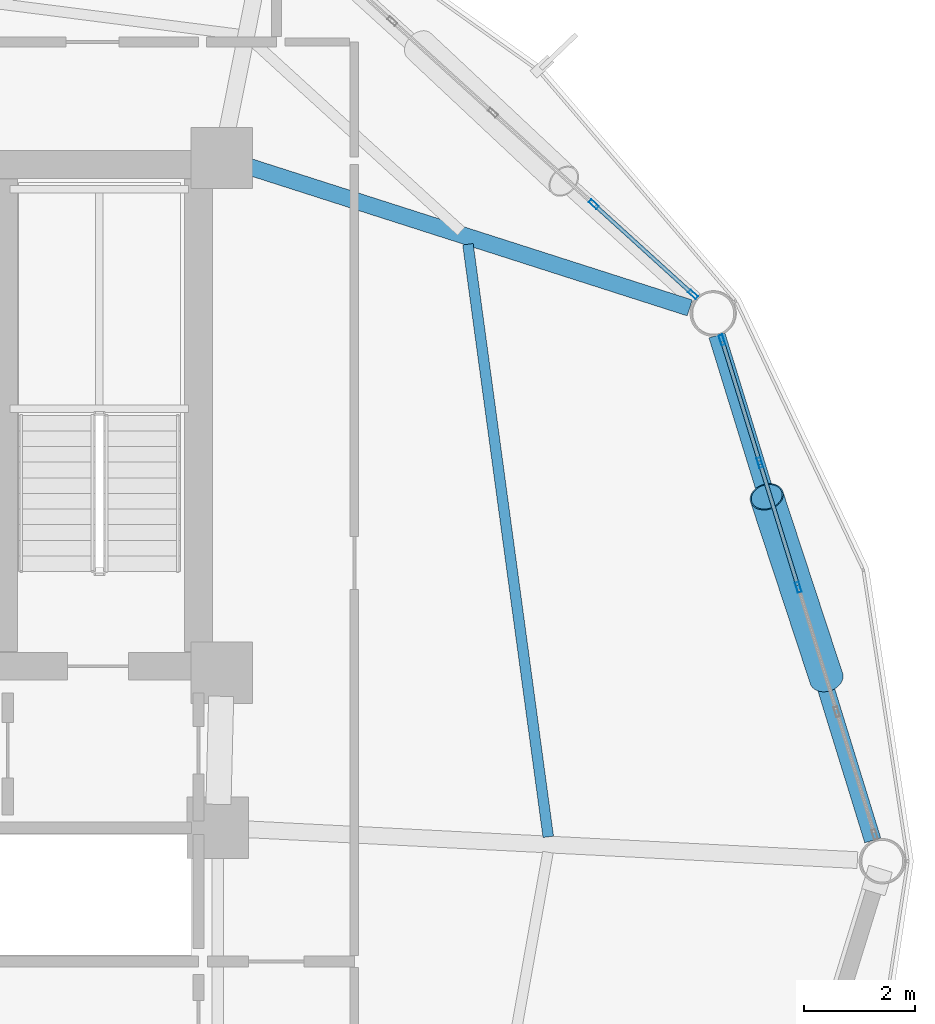
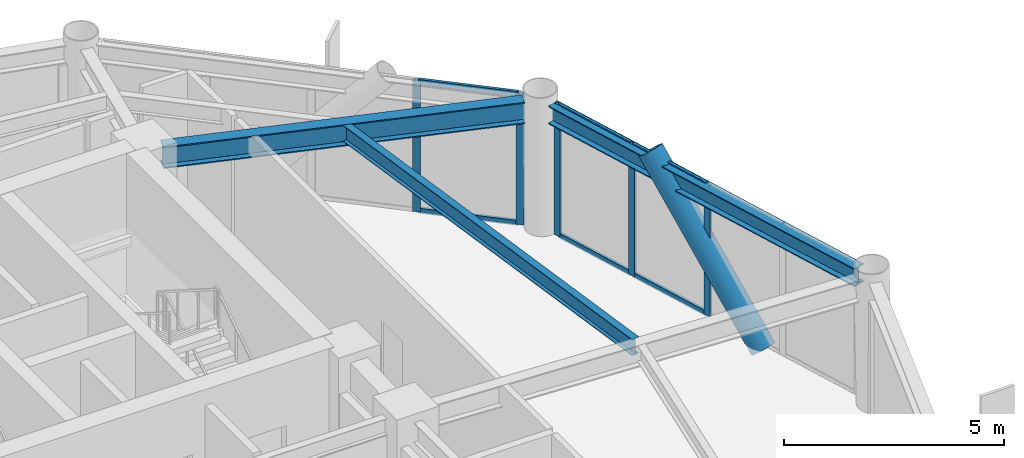
# One storey, part 14 of 25: 12 members, 3 beams, 2 elements without a shape of their own.
"""IFC4 building model written with IfcOpenShell, lengths in metres."""

from ifc_helpers import new_model, si_unit, direction, frame, origin, origin_2d, place, context, subcontext, project, spatial, hollow_rectangle, hollow_circle, i_section, extrude, material, layer, layer_set, material_profile, profile_set, type_object, element, aggregate, save


model = new_model("IFC4")

# Units and contexts
model_context = context("Model", 3, precision=1e-05, world=origin(), true_north=direction((0.0, 1.0)))
body_context = subcontext(model_context, "Body", "Model", "MODEL_VIEW")
ifc_project = project(units=[si_unit("LENGTHUNIT", "METRE"), si_unit("AREAUNIT", "SQUARE_METRE"), si_unit("VOLUMEUNIT", "CUBIC_METRE"), si_unit("PLANEANGLEUNIT", "RADIAN"), si_unit("MASSUNIT", "GRAM", prefix="KILO")], contexts=[model_context])

# Site, building, storey
site_placement = place(None, origin())
site = spatial("IfcSite", under=ifc_project, at=site_placement, CompositionType="ELEMENT")
building_placement = place(site_placement, origin())
building = spatial("IfcBuilding", under=site, at=building_placement, Name="Varnakorn Sky Granary", CompositionType="ELEMENT")
storey_placement = place(building_placement, frame((0.0, 0.0, 91.5)))
storey = spatial("IfcBuildingStorey", under=building, at=storey_placement, Name="L22", CompositionType="ELEMENT", Elevation=91.5)

# Beams
ifc_material_1 = material(Name="Steel S355JR", Category="steel")
ifc_material_profile_1 = material_profile(ifc_material_1, i_section(OverallWidth=0.300048828125, OverallDepth=0.60009765625, WebThickness=0.015380859375, FlangeThickness=0.030029296875, at=origin_2d()), Name="HE 600 B")
ifc_profile_set_1 = profile_set([ifc_material_profile_1], Name="Steel S355JR")
beam_type_1 = type_object("IfcBeamType", Name="BM-RAD-Z2", PredefinedType="BEAM", material=ifc_profile_set_1)
beam_1_placement = place(storey_placement, frame((8.820068359375, 12.491943359375, 3.340087890625), z_axis=(0.952313372575, -0.305121681326, 0.0), x_axis=(0.305121681326, 0.952313372575, 0.0)))
element("IfcBeam", 1, at=beam_1_placement, inside=storey, type_object=beam_type_1, Name="Radial Floor Girder RG02 L22", PredefinedType="BEAM", context=body_context, shape_type="SweptSolid", body=[
    extrude(i_section(OverallWidth=0.300048828125, OverallDepth=0.60009765625, WebThickness=0.015380859375, FlangeThickness=0.030029296875, at=origin_2d()), origin(), (0.0, 0.0, 1.0), 8.398193359375),
])
ifc_material_profile_2 = material_profile(ifc_material_1, i_section(OverallWidth=0.18994140625, OverallDepth=0.449951171875, WebThickness=0.009521484375, FlangeThickness=0.0146484375, at=origin_2d()), Name="IPE 450")
ifc_profile_set_2 = profile_set([ifc_material_profile_2], Name="Steel S355JR")
beam_type_2 = type_object("IfcBeamType", Name="BM-SEC-Z2", PredefinedType="BEAM", material=ifc_profile_set_2)
beam_2_placement = place(storey_placement, frame((14.27880859375, 0.43798828125, 3.4150390625), z_axis=(-0.134295896218, 0.990941275888, 0.0), x_axis=(-0.990941275888, -0.134295896218, 0.0)))
element("IfcBeam", 2, at=beam_2_placement, inside=storey, type_object=beam_type_2, Name="Secondary Floor Chord Beam MSB01 L22", PredefinedType="BEAM", context=body_context, shape_type="SweptSolid", body=[
    extrude(i_section(OverallWidth=0.18994140625, OverallDepth=0.449951171875, WebThickness=0.009521484375, FlangeThickness=0.0146484375, at=origin_2d()), origin(), (0.0, 0.0, 1.0), 10.731201171875),
])
ifc_material_profile_3 = material_profile(ifc_material_1, i_section(OverallWidth=0.300048828125, OverallDepth=0.5, WebThickness=0.014404296875, FlangeThickness=0.028076171875, at=origin_2d()), Name="HE 500 B")
ifc_profile_set_3 = profile_set([ifc_material_profile_3], Name="Steel S355JR")
beam_type_3 = type_object("IfcBeamType", Name="BM-SPD-Z2", PredefinedType="SPANDREL", material=ifc_profile_set_3)
beam_3_placement = place(storey_placement, frame((20.1015625, 0.3740234375, 3.389892578125), z_axis=(-0.294800350665, 0.955558869588, 0.0), x_axis=(-0.955558869588, -0.294800350665, 0.0)))
element("IfcBeam", 3, at=beam_3_placement, inside=storey, type_object=beam_type_3, Name="Perimeter Spandrel Ring Beam RB01 L22", PredefinedType="SPANDREL", context=body_context, shape_type="SweptSolid", body=[
    extrude(i_section(OverallWidth=0.300048828125, OverallDepth=0.5, WebThickness=0.014404296875, FlangeThickness=0.028076171875, at=origin_2d()), origin(), (0.0, 0.0, 1.0), 9.483154296875),
])

# Curtain wall, members
ifc_material_2 = material(Name="Anodised Bronze Aluminium Alloy 6063-T6", Category="aluminium")
ifc_layer = layer(ifc_material_2, 0.18994140625, Name="Anodised Bronze Aluminium Alloy 6063-T6")
ifc_layer_set = layer_set([ifc_layer], Name="Anodised Bronze Aluminium Alloy 6063-T6")
curtain_wall_type = type_object("IfcCurtainWallType", Name="CW-FRM-1", PredefinedType="USERDEFINED", material=ifc_layer_set)
curtain_wall_1_placement = place(storey_placement, origin())
curtain_wall_1 = element("IfcCurtainWall", 4, at=curtain_wall_1_placement, inside=storey, type_object=curtain_wall_type, Name="Unitised Curtain Wall CW3 CW-L22-B01", ObjectType="CURTAIN WALL", PredefinedType="USERDEFINED")
ifc_material_profile_4 = material_profile(ifc_material_2, hollow_rectangle(XDim=0.070068359375, YDim=0.18505859375, WallThickness=0.00390625, at=origin_2d()), Name="ALU MULL 70x185")
ifc_profile_set_4 = profile_set([ifc_material_profile_4], Name="Anodised Bronze Aluminium Alloy 6063-T6")
member_type_1 = type_object("IfcMemberType", Name="CW-FRM-1-MULL", PredefinedType="MULLION", material=ifc_profile_set_4)
member_1_placement = place(storey_placement, frame((17.3955078125, 9.354248046875, 0.0), z_axis=(0.0, 0.0, 1.0), x_axis=(0.955517788397, 0.294933477341, 0.0)))
member_1 = element("IfcMember", 5, at=member_1_placement, type_object=member_type_1, Name="CW3 mullion 1", PredefinedType="MULLION", context=body_context, shape_type="SweptSolid", body=[
    extrude(hollow_rectangle(XDim=0.070068359375, YDim=0.18505859375, WallThickness=0.00390625, at=origin_2d()), origin(), (0.0, 0.0, 1.0), 3.639892578125),
])
member_2_placement = place(storey_placement, frame((18.075439453125, 7.15234375, 0.0), z_axis=(0.0, 0.0, 1.0), x_axis=(0.955517788397, 0.294933477341, 0.0)))
member_2 = element("IfcMember", 6, at=member_2_placement, type_object=member_type_1, Name="CW3 mullion 2", PredefinedType="MULLION", context=body_context, shape_type="SweptSolid", body=[
    extrude(hollow_rectangle(XDim=0.070068359375, YDim=0.18505859375, WallThickness=0.00390625, at=origin_2d()), origin(), (0.0, 0.0, 1.0), 3.639892578125),
])
member_3_placement = place(storey_placement, frame((18.765380859375, 4.916748046875, 0.0), z_axis=(0.0, 0.0, 1.0), x_axis=(0.955517788397, 0.294933477341, 0.0)))
member_3 = element("IfcMember", 7, at=member_3_placement, type_object=member_type_1, Name="CW3 mullion 3", PredefinedType="MULLION", context=body_context, shape_type="SweptSolid", body=[
    extrude(hollow_rectangle(XDim=0.070068359375, YDim=0.18505859375, WallThickness=0.00390625, at=origin_2d()), origin(), (0.0, 0.0, 1.0), 3.639892578125),
])

curtain_wall_2_placement = place(storey_placement, origin())
curtain_wall_2 = element("IfcCurtainWall", 8, at=curtain_wall_2_placement, inside=storey, type_object=curtain_wall_type, Name="Unitised Curtain Wall CW3 CW-L22-B02", ObjectType="CURTAIN WALL", PredefinedType="USERDEFINED")
member_4_placement = place(storey_placement, frame((15.09423828125, 11.7900390625, 0.0), z_axis=(0.0, 0.0, 1.0), x_axis=(0.672429296104, 0.740161361962, 0.0)))
member_4 = element("IfcMember", 9, at=member_4_placement, type_object=member_type_1, Name="CW3 mullion 4", PredefinedType="MULLION", context=body_context, shape_type="SweptSolid", body=[
    extrude(hollow_rectangle(XDim=0.070068359375, YDim=0.18505859375, WallThickness=0.00390625, at=origin_2d()), origin(), (0.0, 0.0, 1.0), 3.639892578125),
])
member_5_placement = place(storey_placement, frame((16.87646484375, 10.170654296875, 0.0), z_axis=(0.0, 0.0, 1.0), x_axis=(0.672429296104, 0.740161361962, 0.0)))
member_5 = element("IfcMember", 10, at=member_5_placement, type_object=member_type_1, Name="CW3 mullion 5", PredefinedType="MULLION", context=body_context, shape_type="SweptSolid", body=[
    extrude(hollow_rectangle(XDim=0.070068359375, YDim=0.18505859375, WallThickness=0.00390625, at=origin_2d()), origin(), (0.0, 0.0, 1.0), 3.639892578125),
])

# Member
ifc_material_profile_5 = material_profile(ifc_material_2, hollow_rectangle(XDim=0.070068359375, YDim=0.139892578125, WallThickness=0.00341796875, at=origin_2d()), Name="ALU TRAN 70x140")
ifc_profile_set_5 = profile_set([ifc_material_profile_5], Name="Anodised Bronze Aluminium Alloy 6063-T6")
member_type_2 = type_object("IfcMemberType", Name="CW-FRM-1-TRAN", PredefinedType="USERDEFINED", material=ifc_profile_set_5)
member_6_placement = place(storey_placement, frame((17.406005859375, 9.32080078125, 0.034912109375), z_axis=(0.29490729783, -0.955525868664, 0.0), x_axis=(0.955525868664, 0.29490729783, 0.0)))
member_6 = element("IfcMember", 11, at=member_6_placement, type_object=member_type_2, Name="CW3 transom 1.1", ObjectType="TRANSOM", PredefinedType="USERDEFINED", context=body_context, shape_type="SweptSolid", body=[
    extrude(hollow_rectangle(XDim=0.070068359375, YDim=0.139892578125, WallThickness=0.00341796875, at=origin_2d()), origin(), (0.0, 0.0, 1.0), 2.234375),
])

member_7_placement = place(storey_placement, frame((17.406005859375, 9.32080078125, 3.60498046875), z_axis=(0.29490729783, -0.955525868664, 0.0), x_axis=(0.955525868664, 0.29490729783, 0.0)))
member_7 = element("IfcMember", 12, at=member_7_placement, type_object=member_type_2, Name="CW3 transom 1.2", ObjectType="TRANSOM", PredefinedType="USERDEFINED", context=body_context, shape_type="SweptSolid", body=[
    extrude(hollow_rectangle(XDim=0.070068359375, YDim=0.139892578125, WallThickness=0.00341796875, at=origin_2d()), origin(), (0.0, 0.0, 1.0), 2.234375),
])

member_8_placement = place(storey_placement, frame((18.085693359375, 7.118896484375, 0.034912109375), z_axis=(0.294947424438, -0.955513483326, 0.0), x_axis=(0.955513483326, 0.294947424438, 0.0)))
member_8 = element("IfcMember", 13, at=member_8_placement, type_object=member_type_2, Name="CW3 transom 2.1", ObjectType="TRANSOM", PredefinedType="USERDEFINED", context=body_context, shape_type="SweptSolid", body=[
    extrude(hollow_rectangle(XDim=0.070068359375, YDim=0.139892578125, WallThickness=0.00341796875, at=origin_2d()), origin(), (0.0, 0.0, 1.0), 2.269775390625),
])

member_9_placement = place(storey_placement, frame((18.085693359375, 7.118896484375, 3.60498046875), z_axis=(0.294947424438, -0.955513483326, 0.0), x_axis=(0.955513483326, 0.294947424438, 0.0)))
member_9 = element("IfcMember", 14, at=member_9_placement, type_object=member_type_2, Name="CW3 transom 2.2", ObjectType="TRANSOM", PredefinedType="USERDEFINED", context=body_context, shape_type="SweptSolid", body=[
    extrude(hollow_rectangle(XDim=0.070068359375, YDim=0.139892578125, WallThickness=0.00341796875, at=origin_2d()), origin(), (0.0, 0.0, 1.0), 2.269775390625),
])

aggregate(curtain_wall_1, [member_1, member_2, member_3, member_6, member_7, member_8, member_9])

member_10_placement = place(storey_placement, frame((15.1201171875, 11.766357421875, 0.034912109375), z_axis=(0.74018101209, -0.672407666034, 0.0), x_axis=(0.672407666034, 0.74018101209, 0.0)))
member_10 = element("IfcMember", 15, at=member_10_placement, type_object=member_type_2, Name="CW3 transom 4.1", ObjectType="TRANSOM", PredefinedType="USERDEFINED", context=body_context, shape_type="SweptSolid", body=[
    extrude(hollow_rectangle(XDim=0.070068359375, YDim=0.139892578125, WallThickness=0.00341796875, at=origin_2d()), origin(), (0.0, 0.0, 1.0), 2.337890625),
])

member_11_placement = place(storey_placement, frame((15.1201171875, 11.766357421875, 3.60498046875), z_axis=(0.74018101209, -0.672407666034, 0.0), x_axis=(0.672407666034, 0.74018101209, 0.0)))
member_11 = element("IfcMember", 16, at=member_11_placement, type_object=member_type_2, Name="CW3 transom 4.2", ObjectType="TRANSOM", PredefinedType="USERDEFINED", context=body_context, shape_type="SweptSolid", body=[
    extrude(hollow_rectangle(XDim=0.070068359375, YDim=0.139892578125, WallThickness=0.00341796875, at=origin_2d()), origin(), (0.0, 0.0, 1.0), 2.337890625),
])

aggregate(curtain_wall_2, [member_4, member_5, member_10, member_11])

ifc_material_3 = material(Name="Steel S460M", Category="steel")
ifc_material_profile_6 = material_profile(ifc_material_3, hollow_circle(Radius=0.304931640625, WallThickness=0.022216796875, at=origin_2d()), Name="CHS 610x22")
ifc_profile_set_6 = profile_set([ifc_material_profile_6], Name="Steel S460M")
member_type_3 = type_object("IfcMemberType", Name="MB-DIAG-T1", PredefinedType="BRACE", material=ifc_profile_set_6)
member_12_placement = place(storey_placement, frame((19.271240234375, 3.27783203125, -0.1298828125), z_axis=(-0.205668491626, 0.626000543306, 0.752212597165), x_axis=(-0.950039580361, -0.312129453509, 0.0)))
element("IfcMember", 17, at=member_12_placement, inside=storey, type_object=member_type_3, Name="Perimeter CHS Diagrid Brace DG01 L22", PredefinedType="BRACE", context=body_context, shape_type="SweptSolid", body=[
    extrude(hollow_circle(Radius=0.304931640625, WallThickness=0.022216796875, at=origin_2d()), origin(), (0.0, 0.0, 1.0), 5.211181640625),
])

save(model, "model.ifc")
